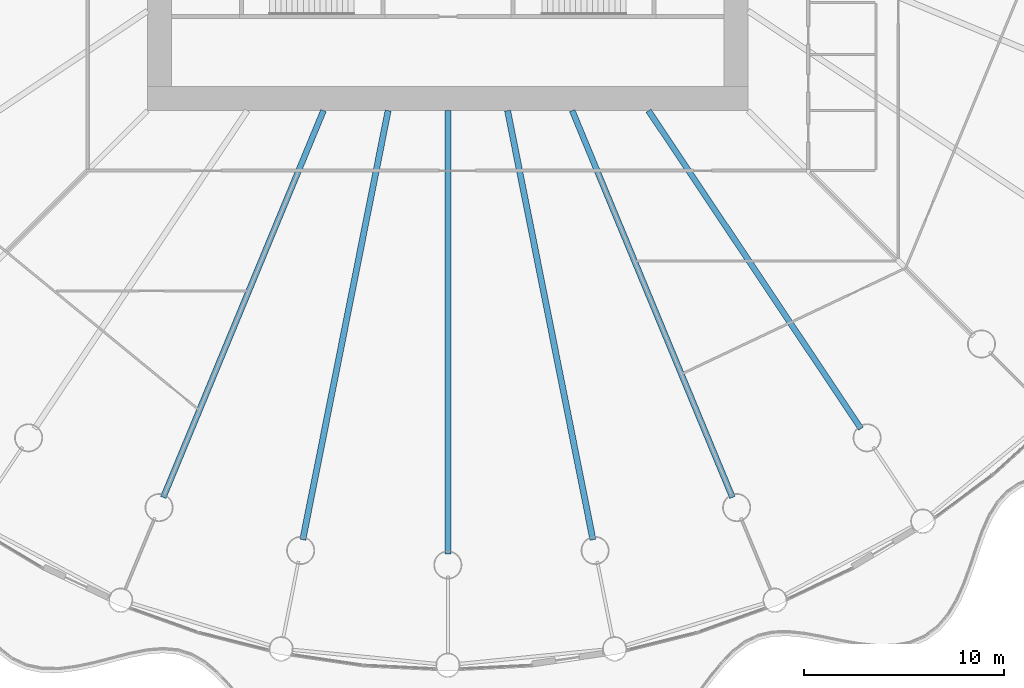
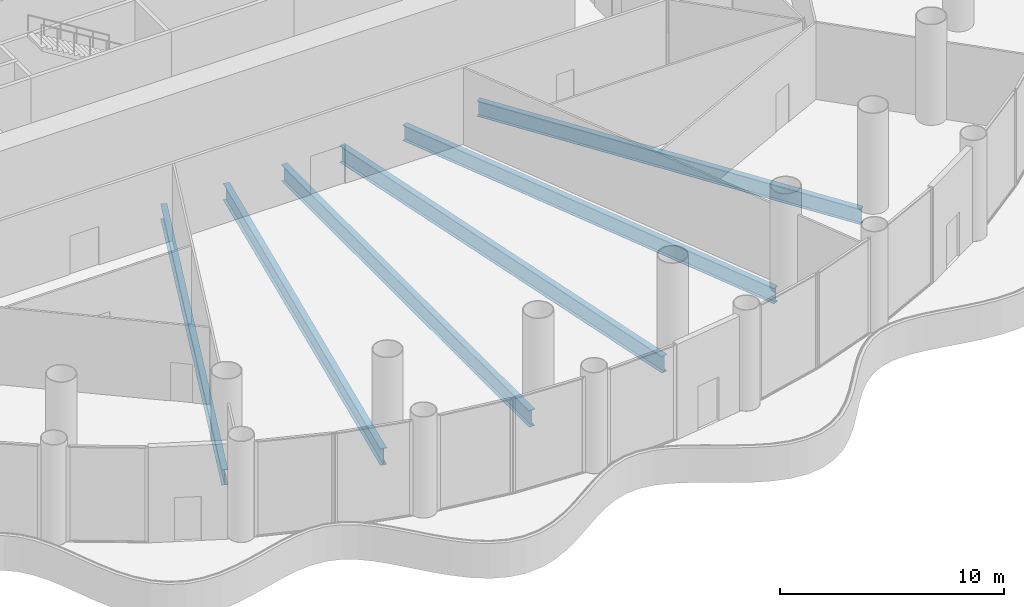
# One storey, part 6 of 37: 6 beams.
"""IFC4 building model written with IfcOpenShell, lengths in metres."""

from ifc_helpers import new_model, si_unit, direction, frame, origin, origin_2d, place, context, subcontext, project, spatial, i_section, extrude, material, material_profile, profile_set, type_object, element, save


model = new_model("IFC4")

# Units and contexts
model_context = context("Model", 3, precision=1e-05, world=origin(), true_north=direction((0.0, 1.0)))
body_context = subcontext(model_context, "Body", "Model", "MODEL_VIEW")
ifc_project = project(units=[si_unit("LENGTHUNIT", "METRE"), si_unit("AREAUNIT", "SQUARE_METRE"), si_unit("VOLUMEUNIT", "CUBIC_METRE"), si_unit("PLANEANGLEUNIT", "RADIAN"), si_unit("MASSUNIT", "GRAM", prefix="KILO")], contexts=[model_context])

# Site, building, storey
site_placement = place(None, origin())
site = spatial("IfcSite", under=ifc_project, at=site_placement, CompositionType="ELEMENT")
building_placement = place(site_placement, origin())
building = spatial("IfcBuilding", under=site, at=building_placement, Name="Corvane Civic Tower", CompositionType="ELEMENT")
storey_placement = place(building_placement, frame((0.0, 0.0, 11.5)))
storey = spatial("IfcBuildingStorey", under=building, at=storey_placement, Name="L02", CompositionType="ELEMENT", Elevation=11.5)

# Beams
ifc_material_1 = material(Name="Steel ASTM A992 Gr 50", Category="steel")
ifc_material_profile_1 = material_profile(ifc_material_1, i_section(OverallWidth=0.2919921875, OverallDepth=0.845703125, WebThickness=0.015380859375, FlangeThickness=0.0244140625, at=origin_2d()), Name="W33X141")
ifc_profile_set_1 = profile_set([ifc_material_profile_1], Name="Steel ASTM A992 Gr 50")
beam_type_1 = type_object("IfcBeamType", Name="FLOOR GIRDER W33X141", PredefinedType="BEAM", material=ifc_profile_set_1)
beam_1_placement = place(storey_placement, frame((10.022705078125, -15.0, -0.722900390625), z_axis=(0.555566681385, -0.831471985418, 0.0), x_axis=(0.831471985418, 0.555566681385, 0.0)))
element("IfcBeam", 1, at=beam_1_placement, inside=storey, type_object=beam_type_1, Name="BM-L02-G14", PredefinedType="BEAM", context=body_context, shape_type="SweptSolid", body=[
    extrude(i_section(OverallWidth=0.2919921875, OverallDepth=0.845703125, WebThickness=0.015380859375, FlangeThickness=0.0244140625, at=origin_2d()), origin(), (0.0, 0.0, 1.0), 19.109619140625),
])
for number, where, z_axis, x_axis, name in (
    (2, (6.213134765625, -15.0, -0.722900390625), (0.382692360381, -0.923875834355, 0.0), (0.923875834355, 0.382692360381, 0.0), "BM-L02-G15"),
    (3, (-6.213134765625, -15.0, -0.722900390625), (-0.382692360381, -0.923875834355, 0.0), (0.923875834355, -0.382692360381, 0.0), "BM-L02-G19"),
):
    element("IfcBeam", number, at=place(storey_placement, frame(where, z_axis=z_axis, x_axis=x_axis)), inside=storey, type_object=beam_type_1, Name=name, PredefinedType="BEAM", context=body_context, shape_type="SweptSolid", body=[
        extrude(i_section(OverallWidth=0.2919921875, OverallDepth=0.845703125, WebThickness=0.015380859375, FlangeThickness=0.0244140625, at=origin_2d()), origin(), (0.0, 0.0, 1.0), 20.9140625),
    ])
ifc_material_2 = material(Name="Steel ASTM A992 Gr 50", Category="steel")
ifc_material_profile_2 = material_profile(ifc_material_2, i_section(OverallWidth=0.3046875, OverallDepth=0.911865234375, WebThickness=0.015869140625, FlangeThickness=0.02392578125, at=origin_2d()), Name="W36X150")
ifc_profile_set_2 = profile_set([ifc_material_profile_2], Name="Steel ASTM A992 Gr 50")
beam_type_2 = type_object("IfcBeamType", Name="FLOOR GIRDER W36X150", PredefinedType="BEAM", material=ifc_profile_set_2)
beam_2_placement = place(storey_placement, frame((2.983642578125, -15.0, -0.755859375), z_axis=(0.195089219638, -0.980785499679, 0.0), x_axis=(0.980785499679, 0.195089219638, 0.0)))
element("IfcBeam", 4, at=beam_2_placement, inside=storey, type_object=beam_type_2, Name="BM-L02-G16", PredefinedType="BEAM", context=body_context, shape_type="SweptSolid", body=[
    extrude(i_section(OverallWidth=0.3046875, OverallDepth=0.911865234375, WebThickness=0.015869140625, FlangeThickness=0.02392578125, at=origin_2d()), origin(), (0.0, 0.0, 1.0), 21.856201171875),
])
beam_3_placement = place(storey_placement, frame((0.0, -15.0, -0.755859375), z_axis=(0.0, -1.0, 0.0), x_axis=(1.0, 0.0, 0.0)))
element("IfcBeam", 5, at=beam_3_placement, inside=storey, type_object=beam_type_2, Name="BM-L02-G17", PredefinedType="BEAM", context=body_context, shape_type="SweptSolid", body=[
    extrude(i_section(OverallWidth=0.3046875, OverallDepth=0.911865234375, WebThickness=0.015869140625, FlangeThickness=0.02392578125, at=origin_2d()), origin(), (0.0, 0.0, 1.0), 22.14990234375),
])
beam_4_placement = place(storey_placement, frame((-2.983642578125, -15.0, -0.755859375), z_axis=(-0.195089219638, -0.980785499679, 0.0), x_axis=(0.980785499679, -0.195089219638, 0.0)))
element("IfcBeam", 6, at=beam_4_placement, inside=storey, type_object=beam_type_2, Name="BM-L02-G18", PredefinedType="BEAM", context=body_context, shape_type="SweptSolid", body=[
    extrude(i_section(OverallWidth=0.3046875, OverallDepth=0.911865234375, WebThickness=0.015869140625, FlangeThickness=0.02392578125, at=origin_2d()), origin(), (0.0, 0.0, 1.0), 21.856201171875),
])

save(model, "model.ifc")
